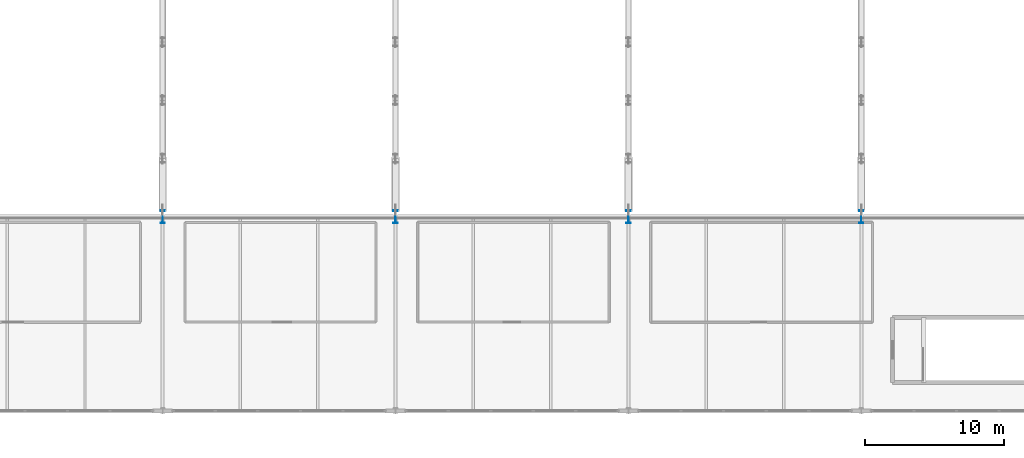
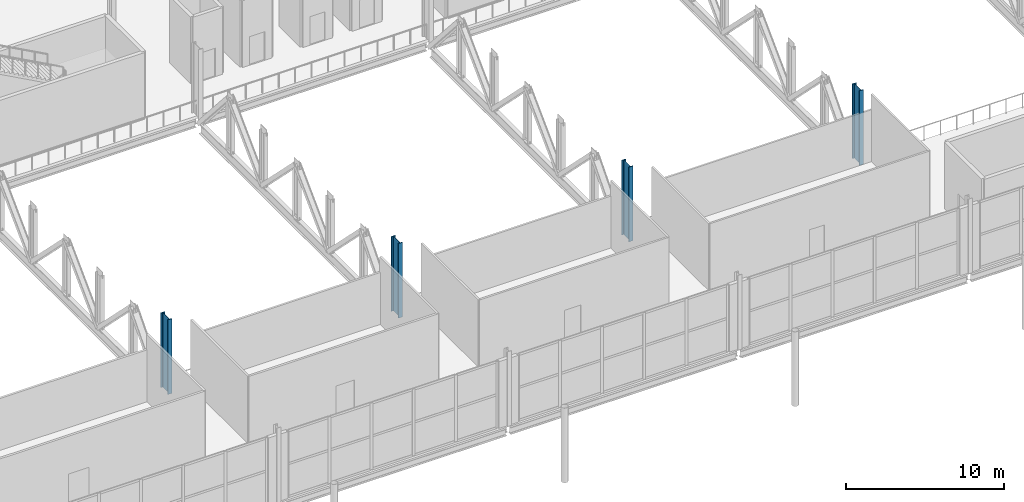
# One storey, part 4 of 84: 4 columns.
"""IFC4 building model written with IfcOpenShell, lengths in metres."""

from ifc_helpers import new_model, si_unit, direction, frame, origin, origin_2d, place, context, subcontext, project, spatial, i_section, extrude, material, material_profile, profile_set, type_object, element, save


model = new_model("IFC4")

# Units and contexts
model_context = context("Model", 3, precision=1e-05, world=origin(), true_north=direction((0.0, 1.0)))
body_context = subcontext(model_context, "Body", "Model", "MODEL_VIEW")
ifc_project = project(units=[si_unit("LENGTHUNIT", "METRE"), si_unit("AREAUNIT", "SQUARE_METRE"), si_unit("VOLUMEUNIT", "CUBIC_METRE"), si_unit("PLANEANGLEUNIT", "RADIAN"), si_unit("MASSUNIT", "GRAM", prefix="KILO")], contexts=[model_context])

# Site, building, storey
site_placement = place(None, origin())
site = spatial("IfcSite", under=ifc_project, at=site_placement, CompositionType="ELEMENT")
building_placement = place(site_placement, origin())
building = spatial("IfcBuilding", under=site, at=building_placement, Name="Kimbaza Rail Terminus", CompositionType="ELEMENT")
storey_placement = place(building_placement, frame((0.0, 0.0, 5.39990234375)))
storey = spatial("IfcBuildingStorey", under=building, at=storey_placement, Name="L01", CompositionType="ELEMENT", Elevation=5.39990234375)

# Columns
ifc_material = material(Name="Steel S355", Category="steel")
ifc_material_profile = material_profile(ifc_material, i_section(OverallWidth=0.302001953125, OverallDepth=0.909912109375, WebThickness=0.02099609375, FlangeThickness=0.0400390625, FilletRadius=0.030029296875, at=origin_2d()), Name="HEM 900")
ifc_profile_set = profile_set([ifc_material_profile], Name="Steel S355")
column_type = type_object("IfcColumnType", Name="STR-COL-HEM900", PredefinedType="COLUMN", material=ifc_profile_set)
for number, where, z_axis, x_axis, name in (
    (1, (88.800048828125, 55.0, 0.0), (0.0, 0.0, 1.0), (1.0, 0.0, 0.0), "Ticket Hall Pier L01"),
    (2, (105.60009765625, 55.0, 0.0), (0.0, 0.0, 1.0), (1.0, 0.0, 0.0), "Ticket Hall Pier L01"),
    (3, (122.39990234375, 55.0, 0.0), (0.0, 0.0, 1.0), (1.0, 0.0, 0.0), "Ticket Hall Pier L01"),
    (4, (139.199951171875, 55.0, 0.0), (0.0, 0.0, 1.0), (1.0, 0.0, 0.0), "Ticket Hall Pier L01"),
):
    element("IfcColumn", number, at=place(storey_placement, frame(where, z_axis=z_axis, x_axis=x_axis)), inside=storey, type_object=column_type, Name=name, PredefinedType="COLUMN", context=body_context, shape_type="SweptSolid", body=[
        extrude(i_section(OverallWidth=0.302001953125, OverallDepth=0.909912109375, WebThickness=0.02099609375, FlangeThickness=0.0400390625, FilletRadius=0.030029296875, at=origin_2d()), origin(), (0.0, 0.0, 1.0), 5.75),
    ])

save(model, "model.ifc")
